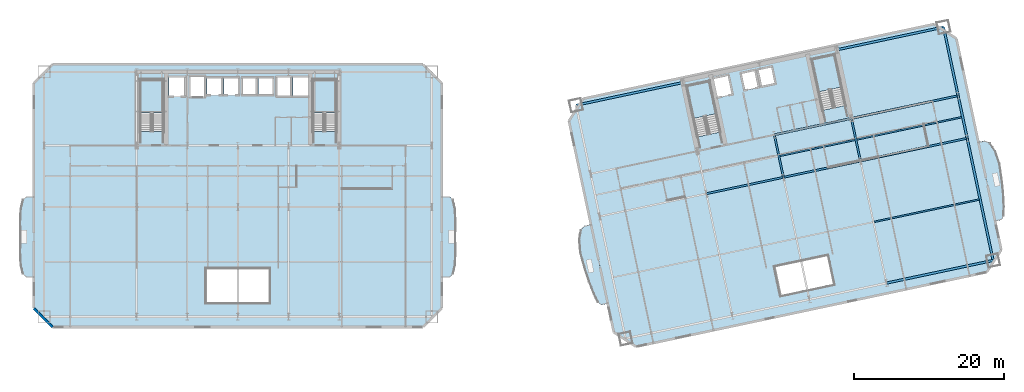
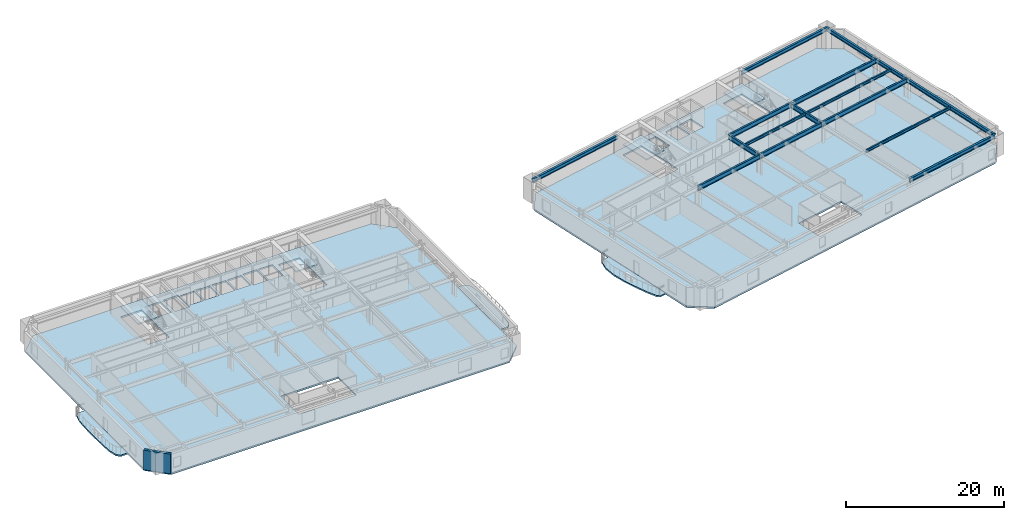
# One storey, part 4 of 16: 16 beams, 10 slabs, 1 wall, 4 elements without a shape of their own.
"""IFC4 building model written with IfcOpenShell, lengths in metres."""

from ifc_helpers import new_model, si_unit, direction, frame, frame_2d, origin, origin_2d, place, context, subcontext, project, spatial, polyline, rectangle, i_section, outline, extrude, material, layer, layer_set, material_profile, profile_set, type_object, element, aggregate, save


model = new_model("IFC4")

# Units and contexts
model_context = context("Model", 3, precision=1e-05, world=origin(), true_north=direction((0.0, 1.0)))
body_context = subcontext(model_context, "Body", "Model", "MODEL_VIEW")
ifc_project = project(units=[si_unit("LENGTHUNIT", "METRE"), si_unit("AREAUNIT", "SQUARE_METRE"), si_unit("VOLUMEUNIT", "CUBIC_METRE"), si_unit("PLANEANGLEUNIT", "RADIAN"), si_unit("MASSUNIT", "GRAM", prefix="KILO")], contexts=[model_context])

# Site, building, storey
site_placement = place(None, origin())
site = spatial("IfcSite", under=ifc_project, at=site_placement, CompositionType="ELEMENT")
building_placement = place(site_placement, origin())
building = spatial("IfcBuilding", under=site, at=building_placement, Name="Haevon Station Towers", CompositionType="ELEMENT")
storey_placement = place(building_placement, frame((0.0, 0.0, 43.800048828125)))
storey = spatial("IfcBuildingStorey", under=building, at=storey_placement, Name="L10", CompositionType="ELEMENT", Elevation=43.800048828125)

# Beams
ifc_material_1 = material(Name="Steel S355", Category="steel")
ifc_material_profile_1 = material_profile(ifc_material_1, i_section(OverallWidth=0.25, OverallDepth=0.699951171875, WebThickness=0.012939453125, FlangeThickness=0.02392578125, at=origin_2d()), Name="H-700x250x13x24")
ifc_profile_set_1 = profile_set([ifc_material_profile_1], Name="Steel S355")
beam_type_1 = type_object("IfcBeamType", Name="BM-G700", PredefinedType="BEAM", material=ifc_profile_set_1)
for number, where, z_axis, x_axis, name in (
    (1, (99.958251953125, 31.76904296875, 2.699951171875), (0.978146794194, 0.207915485254, 0.0), (-0.207915485254, 0.978146794194, 0.0), "BM-T2U-L10-02-02"),
    (2, (110.228759765625, 33.9521484375, 2.699951171875), (0.978146794194, 0.207915485254, 0.0), (-0.207915485254, 0.978146794194, 0.0), "BM-T2U-L10-02-03"),
):
    element("IfcBeam", number, at=place(storey_placement, frame(where, z_axis=z_axis, x_axis=x_axis)), inside=storey, type_object=beam_type_1, Name=name, PredefinedType="BEAM", context=body_context, shape_type="SweptSolid", body=[
        extrude(i_section(OverallWidth=0.25, OverallDepth=0.699951171875, WebThickness=0.012939453125, FlangeThickness=0.02392578125, at=origin_2d()), origin(), (0.0, 0.0, 1.0), 10.5),
    ])
beam_1_placement = place(storey_placement, frame((120.499267578125, 36.13525390625, 2.699951171875), z_axis=(0.978147548738, 0.207911935439, 0.0), x_axis=(-0.207911935439, 0.978147548738, 0.0)))
element("IfcBeam", 3, at=beam_1_placement, inside=storey, type_object=beam_type_1, Name="BM-T2U-L10-02-04", PredefinedType="BEAM", context=body_context, shape_type="SweptSolid", body=[
    extrude(i_section(OverallWidth=0.25, OverallDepth=0.699951171875, WebThickness=0.012939453125, FlangeThickness=0.02392578125, at=origin_2d()), origin(), (0.0, 0.0, 1.0), 14.550048828125),
])
beam_2_placement = place(storey_placement, frame((109.02294921875, 39.62548828125, 2.699951171875), z_axis=(0.978146794194, 0.207915485254, 0.0), x_axis=(-0.207915485254, 0.978146794194, 0.0)))
element("IfcBeam", 4, at=beam_2_placement, inside=storey, type_object=beam_type_1, Name="BM-T2U-L10-03-03", PredefinedType="BEAM", context=body_context, shape_type="SweptSolid", body=[
    extrude(i_section(OverallWidth=0.25, OverallDepth=0.699951171875, WebThickness=0.012939453125, FlangeThickness=0.02392578125, at=origin_2d()), origin(), (0.0, 0.0, 1.0), 10.5),
])
beam_3_placement = place(storey_placement, frame((119.29345703125, 41.80859375, 2.699951171875), z_axis=(0.978146823396, 0.207915347869, 0.0), x_axis=(-0.207915347869, 0.978146823396, 0.0)))
element("IfcBeam", 5, at=beam_3_placement, inside=storey, type_object=beam_type_1, Name="BM-T2U-L10-03-04", PredefinedType="BEAM", context=body_context, shape_type="SweptSolid", body=[
    extrude(i_section(OverallWidth=0.25, OverallDepth=0.699951171875, WebThickness=0.012939453125, FlangeThickness=0.02392578125, at=origin_2d()), origin(), (0.0, 0.0, 1.0), 14.5498046875),
])
for number, where, z_axis, x_axis, name in (
    (6, (110.228759765625, 33.9521484375, 2.699951171875), (-0.207896009217, 0.97815093383, 0.0), (-0.97815093383, -0.207896009217, 0.0), "BM-T2V-L10-03-02"),
    (7, (120.499267578125, 36.13525390625, 2.699951171875), (-0.207896009217, 0.97815093383, 0.0), (-0.97815093383, -0.207896009217, 0.0), "BM-T2V-L10-04-02"),
):
    element("IfcBeam", number, at=place(storey_placement, frame(where, z_axis=z_axis, x_axis=x_axis)), inside=storey, type_object=beam_type_1, Name=name, PredefinedType="BEAM", context=body_context, shape_type="SweptSolid", body=[
        extrude(i_section(OverallWidth=0.25, OverallDepth=0.699951171875, WebThickness=0.012939453125, FlangeThickness=0.02392578125, at=origin_2d()), origin(), (0.0, 0.0, 1.0), 5.800048828125),
    ])
ifc_material_profile_2 = material_profile(ifc_material_1, i_section(OverallWidth=0.199951171875, OverallDepth=0.39990234375, WebThickness=0.008056640625, FlangeThickness=0.012939453125, at=origin_2d()), Name="H-400x200x8x13")
ifc_profile_set_2 = profile_set([ifc_material_profile_2], Name="Steel S355")
beam_type_2 = type_object("IfcBeamType", Name="BM-J400", PredefinedType="JOIST", material=ifc_profile_set_2)
beam_4_placement = place(storey_placement, frame((122.337890625, 28.01513671875, 2.849853515625), z_axis=(0.978149367314, 0.207903379537, 0.0), x_axis=(-0.207903379537, 0.978149367314, 0.0)))
element("IfcBeam", 8, at=beam_4_placement, inside=storey, type_object=beam_type_2, Name="BM-T2J-L10-01-04", PredefinedType="JOIST", context=body_context, shape_type="SweptSolid", body=[
    extrude(i_section(OverallWidth=0.199951171875, OverallDepth=0.39990234375, WebThickness=0.008056640625, FlangeThickness=0.012939453125, at=origin_2d()), origin(), (0.0, 0.0, 1.0), 14.330078125),
])
beam_5_placement = place(storey_placement, frame((109.7333984375, 36.811767578125, 2.849853515625), z_axis=(0.978150339653, 0.207898804801, 0.0), x_axis=(-0.207898804801, 0.978150339653, 0.0)))
element("IfcBeam", 9, at=beam_5_placement, inside=storey, type_object=beam_type_2, Name="BM-T2J-L10-02-03", PredefinedType="JOIST", context=body_context, shape_type="SweptSolid", body=[
    extrude(i_section(OverallWidth=0.199951171875, OverallDepth=0.39990234375, WebThickness=0.008056640625, FlangeThickness=0.012939453125, at=origin_2d()), origin(), (0.0, 0.0, 1.0), 10.280029296875),
])
beam_6_placement = place(storey_placement, frame((120.00390625, 38.994873046875, 2.849853515625), z_axis=(0.978149367314, 0.207903379537, 0.0), x_axis=(-0.207903379537, 0.978149367314, 0.0)))
element("IfcBeam", 10, at=beam_6_placement, inside=storey, type_object=beam_type_2, Name="BM-T2J-L10-02-04", PredefinedType="JOIST", context=body_context, shape_type="SweptSolid", body=[
    extrude(i_section(OverallWidth=0.199951171875, OverallDepth=0.39990234375, WebThickness=0.008056640625, FlangeThickness=0.012939453125, at=origin_2d()), origin(), (0.0, 0.0, 1.0), 14.330078125),
])
ifc_material_profile_3 = material_profile(ifc_material_1, i_section(OverallWidth=0.300048828125, OverallDepth=0.587890625, WebThickness=0.011962890625, FlangeThickness=0.02001953125, at=origin_2d()), Name="H-588x300x12x20")
ifc_profile_set_3 = profile_set([ifc_material_profile_3], Name="Steel S355")
beam_type_3 = type_object("IfcBeamType", Name="BM-SP588", PredefinedType="SPANDREL", material=ifc_profile_set_3)
for number, where, z_axis, x_axis, name in (
    (11, (123.961181640625, 19.84912109375, 2.755859375), (0.978146823396, 0.207915347869, 0.0), (-0.207915347869, 0.978146823396, 0.0), "BM-T2U-L10-01-04"),
    (12, (82.576416015625, 43.56298828125, 2.755859375), (0.978146823396, 0.207915347869, 0.0), (-0.207915347869, 0.978146823396, 0.0), "BM-T2U-L10-04-01"),
):
    element("IfcBeam", number, at=place(storey_placement, frame(where, z_axis=z_axis, x_axis=x_axis)), inside=storey, type_object=beam_type_3, Name=name, PredefinedType="SPANDREL", context=body_context, shape_type="SweptSolid", body=[
        extrude(i_section(OverallWidth=0.300048828125, OverallDepth=0.587890625, WebThickness=0.011962890625, FlangeThickness=0.02001953125, at=origin_2d()), origin(), (0.0, 0.0, 1.0), 14.5498046875),
    ])
beam_7_placement = place(storey_placement, frame((117.349365234375, 50.954345703125, 2.755859375), z_axis=(0.978150960994, 0.207895881409, 0.0), x_axis=(-0.207895881409, 0.978150960994, 0.0)))
element("IfcBeam", 13, at=beam_7_placement, inside=storey, type_object=beam_type_3, Name="BM-T2U-L10-04-04", PredefinedType="SPANDREL", context=body_context, shape_type="SweptSolid", body=[
    extrude(i_section(OverallWidth=0.300048828125, OverallDepth=0.587890625, WebThickness=0.011962890625, FlangeThickness=0.02001953125, at=origin_2d()), origin(), (0.0, 0.0, 1.0), 14.550048828125),
])
beam_8_placement = place(storey_placement, frame((138.193115234375, 22.874267578125, 2.755859375), z_axis=(-0.20790856066, 0.978148266064, 0.0), x_axis=(-0.978148266064, -0.20790856066, 0.0)))
element("IfcBeam", 14, at=beam_8_placement, inside=storey, type_object=beam_type_3, Name="BM-T2V-L10-05-01", PredefinedType="SPANDREL", context=body_context, shape_type="SweptSolid", body=[
    extrude(i_section(OverallWidth=0.300048828125, OverallDepth=0.587890625, WebThickness=0.011962890625, FlangeThickness=0.02001953125, at=origin_2d()), origin(), (0.0, 0.0, 1.0), 16.64990234375),
])
beam_9_placement = place(storey_placement, frame((134.7314453125, 39.160400390625, 2.755859375), z_axis=(-0.207936282142, 0.978142373363, 0.0), x_axis=(-0.978142373363, -0.207936282142, 0.0)))
element("IfcBeam", 15, at=beam_9_placement, inside=storey, type_object=beam_type_3, Name="BM-T2V-L10-05-02", PredefinedType="SPANDREL", context=body_context, shape_type="SweptSolid", body=[
    extrude(i_section(OverallWidth=0.300048828125, OverallDepth=0.587890625, WebThickness=0.011962890625, FlangeThickness=0.02001953125, at=origin_2d()), origin(), (0.0, 0.0, 1.0), 5.800048828125),
])
beam_10_placement = place(storey_placement, frame((133.525390625, 44.833740234375, 2.755859375), z_axis=(-0.207902477038, 0.978149559138, 0.0), x_axis=(-0.978149559138, -0.207902477038, 0.0)))
element("IfcBeam", 16, at=beam_10_placement, inside=storey, type_object=beam_type_3, Name="BM-T2V-L10-05-03", PredefinedType="SPANDREL", context=body_context, shape_type="SweptSolid", body=[
    extrude(i_section(OverallWidth=0.300048828125, OverallDepth=0.587890625, WebThickness=0.011962890625, FlangeThickness=0.02001953125, at=origin_2d()), origin(), (0.0, 0.0, 1.0), 9.349853515625),
])

# Slabs
ifc_material_2 = material(Name="Concrete C40/50", Category="concrete")
ifc_layer_1 = layer(ifc_material_2, 0.219970703125)
ifc_layer_set_1 = layer_set([ifc_layer_1], Name="Concrete C40/50")
slab_type_1 = type_object("IfcSlabType", Name="SL-BALC220", PredefinedType="FLOOR", material=ifc_layer_set_1)
slab_1_placement = place(storey_placement, frame((0.0, 0.0, -0.219970703125)))
element("IfcSlab", 17, at=slab_1_placement, inside=storey, type_object=slab_type_1, Name="Tower 1 L10 West SCALLOPED BALCONY", PredefinedType="FLOOR", context=body_context, shape_type="SweptSolid", body=[
    extrude(outline(polyline([(10.294921875, 31.39990234375), (9.306396484375, 31.39990234375), (8.831787109375, 30.989013671875), (8.5517578125, 29.818359375), (8.459228515625, 28.06640625), (8.44873046875, 26.0), (8.459228515625, 23.93359375), (8.5517578125, 22.181640625), (8.831787109375, 21.010986328125), (9.306396484375, 20.60009765625), (10.294921875, 20.60009765625), (10.294921875, 31.39990234375)])), origin(), (0.0, 0.0, 1.0), 0.219970703125),
])
slab_2_placement = place(storey_placement, frame((0.0, 0.0, -0.219970703125)))
element("IfcSlab", 18, at=slab_2_placement, inside=storey, type_object=slab_type_1, Name="Tower 1 L10 East SCALLOPED BALCONY", PredefinedType="FLOOR", context=body_context, shape_type="SweptSolid", body=[
    extrude(outline(polyline([(64.705078125, 20.60009765625), (65.693603515625, 20.60009765625), (66.168212890625, 21.010986328125), (66.4482421875, 22.181640625), (66.540771484375, 23.93359375), (66.55126953125, 26.0), (66.540771484375, 28.06640625), (66.4482421875, 29.818359375), (66.168212890625, 30.989013671875), (65.693603515625, 31.39990234375), (64.705078125, 31.39990234375), (64.705078125, 20.60009765625)])), origin(), (0.0, 0.0, 1.0), 0.219970703125),
])
slab_3_placement = place(storey_placement, frame((0.0, 0.0, -0.219970703125)))
element("IfcSlab", 19, at=slab_3_placement, inside=storey, type_object=slab_type_1, Name="Tower 2 L10 West SCALLOPED BALCONY", PredefinedType="FLOOR", context=body_context, shape_type="SweptSolid", body=[
    extrude(outline(polyline([(84.567138671875, 27.6796875), (83.704345703125, 27.496337890625), (83.22119140625, 26.973388671875), (82.98486328125, 25.7265625), (83.12890625, 23.966064453125), (83.6357421875, 21.961181640625), (84.32373046875, 19.994873046875), (84.984619140625, 18.34423828125), (85.521240234375, 17.261474609375), (85.949951171875, 16.932373046875), (86.8125, 17.11572265625), (84.567138671875, 27.6796875)])), origin(), (0.0, 0.0, 1.0), 0.219970703125),
])
slab_4_placement = place(storey_placement, frame((0.0, 0.0, -0.219970703125)))
element("IfcSlab", 20, at=slab_4_placement, inside=storey, type_object=slab_type_1, Name="Tower 2 L10 East SCALLOPED BALCONY", PredefinedType="FLOOR", context=body_context, shape_type="SweptSolid", body=[
    extrude(outline(polyline([(138.468505859375, 28.095703125), (139.331298828125, 28.279052734375), (139.589111328125, 28.754150390625), (139.638916015625, 29.96142578125), (139.571044921875, 31.738037109375), (139.39990234375, 33.814208984375), (139.04736328125, 35.85205078125), (138.463134765625, 37.518798828125), (137.739990234375, 38.561767578125), (137.0859375, 38.843017578125), (136.22314453125, 38.65966796875), (138.468505859375, 28.095703125)])), origin(), (0.0, 0.0, 1.0), 0.219970703125),
])

# Stair, slab
stair_type = type_object("IfcStairType", Name="STR-DL1450", PredefinedType="USERDEFINED", material=ifc_material_2)
stair_1_placement = place(storey_placement, origin())
stair_1 = element("IfcStair", 21, at=stair_1_placement, inside=storey, type_object=stair_type, Name="L10 Escape Stair ST1", ObjectType="TWO_RETURN_STAIR", PredefinedType="USERDEFINED")
ifc_layer_2 = layer(ifc_material_2, 0.199951171875)
ifc_layer_set_2 = layer_set([ifc_layer_2], Name="Concrete C40/50")
slab_type_2 = type_object("IfcSlabType", Name="SL-LND200", PredefinedType="LANDING", material=ifc_layer_set_2)
slab_5_placement = place(storey_placement, frame((0.0, 0.0, 1.449951171875)))
slab_5 = element("IfcSlab", 22, at=slab_5_placement, type_object=slab_type_2, Name="L10 ST1 Half Landing 1", PredefinedType="LANDING", context=body_context, shape_type="SweptSolid", body=[
    extrude(outline(polyline([(27.580078125, 42.56396484375), (27.580078125, 47.0), (24.47998046875, 47.0), (24.47998046875, 42.56396484375), (27.580078125, 42.56396484375)])), origin(), (0.0, 0.0, 1.0), 0.199951171875),
])
aggregate(stair_1, [slab_5])

stair_2_placement = place(storey_placement, origin())
stair_2 = element("IfcStair", 23, at=stair_2_placement, inside=storey, type_object=stair_type, Name="L10 Escape Stair ST2", ObjectType="TWO_RETURN_STAIR", PredefinedType="USERDEFINED")
slab_6_placement = place(storey_placement, frame((0.0, 0.0, 1.449951171875)))
slab_6 = element("IfcSlab", 24, at=slab_6_placement, type_object=slab_type_2, Name="L10 ST2 Half Landing 1", PredefinedType="LANDING", context=body_context, shape_type="SweptSolid", body=[
    extrude(outline(polyline([(50.6201171875, 42.56396484375), (50.6201171875, 47.0), (47.52001953125, 47.0), (47.52001953125, 42.56396484375), (50.6201171875, 42.56396484375)])), origin(), (0.0, 0.0, 1.0), 0.199951171875),
])
aggregate(stair_2, [slab_6])

stair_3_placement = place(storey_placement, origin())
stair_3 = element("IfcStair", 25, at=stair_3_placement, inside=storey, type_object=stair_type, Name="L10 Escape Stair ST3", ObjectType="TWO_RETURN_STAIR", PredefinedType="USERDEFINED")
slab_7_placement = place(storey_placement, frame((0.0, 0.0, 1.449951171875)))
slab_7 = element("IfcSlab", 26, at=slab_7_placement, type_object=slab_type_2, Name="L10 ST3 Half Landing 1", PredefinedType="LANDING", context=body_context, shape_type="SweptSolid", body=[
    extrude(outline(polyline([(101.2880859375, 42.44287109375), (100.36572265625, 46.781982421875), (97.33349609375, 46.137451171875), (98.255859375, 41.79833984375), (101.2880859375, 42.44287109375)])), origin(), (0.0, 0.0, 1.0), 0.199951171875),
])
aggregate(stair_3, [slab_7])

stair_4_placement = place(storey_placement, origin())
stair_4 = element("IfcStair", 27, at=stair_4_placement, inside=storey, type_object=stair_type, Name="L10 Escape Stair ST4", ObjectType="TWO_RETURN_STAIR", PredefinedType="USERDEFINED")
slab_8_placement = place(storey_placement, frame((0.0, 0.0, 1.449951171875)))
slab_8 = element("IfcSlab", 28, at=slab_8_placement, type_object=slab_type_2, Name="L10 ST4 Half Landing 1", PredefinedType="LANDING", context=body_context, shape_type="SweptSolid", body=[
    extrude(outline(polyline([(117.975341796875, 45.989990234375), (117.052978515625, 50.328857421875), (114.020751953125, 49.684326171875), (114.943115234375, 45.345458984375), (117.975341796875, 45.989990234375)])), origin(), (0.0, 0.0, 1.0), 0.199951171875),
])
aggregate(stair_4, [slab_8])

# Slabs
ifc_layer_3 = layer(ifc_material_2, 0.25)
ifc_layer_set_3 = layer_set([ifc_layer_3], Name="Concrete C40/50")
slab_type_3 = type_object("IfcSlabType", Name="SL-TW250", PredefinedType="FLOOR", material=ifc_layer_set_3)
slab_9_placement = place(storey_placement, frame((0.0, 0.0, -0.25)))
element("IfcSlab", 29, at=slab_9_placement, inside=storey, type_object=slab_type_3, Name="SL-T1-L10", PredefinedType="FLOOR", context=body_context, shape_type="SweptSolid", body=[
    extrude(outline(polyline([(12.800048828125, 14.0), (62.199951171875, 14.0), (64.699951171875, 16.5), (64.699951171875, 46.5), (62.199951171875, 49.0), (12.800048828125, 49.0), (10.300048828125, 46.5), (10.300048828125, 16.5), (12.800048828125, 14.0)]), holes=[polyline([(27.580078125, 40.055908203125), (27.580078125, 47.0), (24.47998046875, 47.0), (24.47998046875, 40.055908203125), (27.580078125, 40.055908203125)]), polyline([(50.6201171875, 40.055908203125), (50.6201171875, 47.0), (47.52001953125, 47.0), (47.52001953125, 40.055908203125), (50.6201171875, 40.055908203125)]), polyline([(28.300048828125, 44.699951171875), (30.5, 44.699951171875), (30.5, 47.39990234375), (28.300048828125, 47.39990234375), (28.300048828125, 44.699951171875)]), polyline([(31.050048828125, 44.60009765625), (33.14990234375, 44.60009765625), (33.14990234375, 47.5), (31.050048828125, 47.5), (31.050048828125, 44.60009765625)]), polyline([(33.39990234375, 44.89990234375), (35.39990234375, 44.89990234375), (35.39990234375, 47.300048828125), (33.39990234375, 47.300048828125), (33.39990234375, 44.89990234375)]), polyline([(35.64990234375, 44.89990234375), (37.64990234375, 44.89990234375), (37.64990234375, 47.300048828125), (35.64990234375, 47.300048828125), (35.64990234375, 44.89990234375)]), polyline([(38.0, 44.89990234375), (40.0, 44.89990234375), (40.0, 47.300048828125), (38.0, 47.300048828125), (38.0, 44.89990234375)]), polyline([(40.25, 44.89990234375), (42.25, 44.89990234375), (42.25, 47.300048828125), (40.25, 47.300048828125), (40.25, 44.89990234375)]), polyline([(42.60009765625, 44.699951171875), (44.60009765625, 44.699951171875), (44.60009765625, 47.39990234375), (42.60009765625, 47.39990234375), (42.60009765625, 44.699951171875)]), polyline([(44.85009765625, 44.699951171875), (46.85009765625, 44.699951171875), (46.85009765625, 47.39990234375), (44.85009765625, 47.39990234375), (44.85009765625, 44.699951171875)]), polyline([(33.300048828125, 17.199951171875), (41.699951171875, 17.199951171875), (41.699951171875, 21.800048828125), (33.300048828125, 21.800048828125), (33.300048828125, 17.199951171875)])]), origin(), (0.0, 0.0, 1.0), 0.25),
])
slab_10_placement = place(storey_placement, frame((0.0, 0.0, -0.25)))
element("IfcSlab", 30, at=slab_10_placement, inside=storey, type_object=slab_type_3, Name="SL-T2-L10", PredefinedType="FLOOR", context=body_context, shape_type="SweptSolid", body=[
    extrude(outline(polyline([(90.593505859375, 11.37646484375), (137.348876953125, 21.314697265625), (139.2744140625, 24.27978515625), (133.28662109375, 52.450439453125), (130.321533203125, 54.3759765625), (83.566162109375, 44.43798828125), (81.640380859375, 41.47265625), (87.62841796875, 13.302001953125), (90.593505859375, 11.37646484375)]), holes=[polyline([(101.8095703125, 39.98974609375), (100.36572265625, 46.781982421875), (97.33349609375, 46.137451171875), (98.77734375, 39.34521484375), (101.8095703125, 39.98974609375)]), polyline([(118.496826171875, 43.53662109375), (117.052978515625, 50.328857421875), (114.020751953125, 49.684326171875), (115.464599609375, 42.89208984375), (118.496826171875, 43.53662109375)]), polyline([(101.43212890625, 44.554931640625), (103.486328125, 44.99169921875), (102.9248046875, 47.632568359375), (100.870849609375, 47.196044921875), (101.43212890625, 44.554931640625)]), polyline([(105.009765625, 45.519775390625), (106.966064453125, 45.935791015625), (106.467041015625, 48.283203125), (104.5107421875, 47.867431640625), (105.009765625, 45.519775390625)]), polyline([(107.259521484375, 45.998046875), (109.2158203125, 46.413818359375), (108.716796875, 48.761474609375), (106.760498046875, 48.345703125), (107.259521484375, 45.998046875)]), polyline([(109.9091796875, 18.140380859375), (116.951904296875, 19.63720703125), (116.120361328125, 23.5498046875), (109.07763671875, 22.052978515625), (109.9091796875, 18.140380859375)])]), origin(), (0.0, 0.0, 1.0), 0.25),
])

# Wall
ifc_material_3 = material(Name="Precast concrete C45/55", Category="concrete")
ifc_layer_4 = layer(ifc_material_3, 0.340087890625)
ifc_layer_set_4 = layer_set([ifc_layer_4], Name="Precast concrete C45/55")
wall_type = type_object("IfcWallType", Name="WL-EXT-PIER340", PredefinedType="SOLIDWALL", material=ifc_layer_set_4)
wall_placement = place(storey_placement, frame((12.800048828125, 14.0, 0.0), z_axis=(0.0, 0.0, 1.0), x_axis=(-0.707106781187, 0.707106781187, 0.0)))
element("IfcWall", 31, at=wall_placement, inside=storey, type_object=wall_type, Name="WL-T1-L10-SWC", PredefinedType="SOLIDWALL", context=body_context, shape_type="SweptSolid", body=[
    extrude(rectangle(XDim=3.53564453125, YDim=0.340087890625, at=frame_2d((1.767822265625, 0.0))), origin(), (0.0, 0.0, 1.0), 3.030029296875),
])

save(model, "model.ifc")
